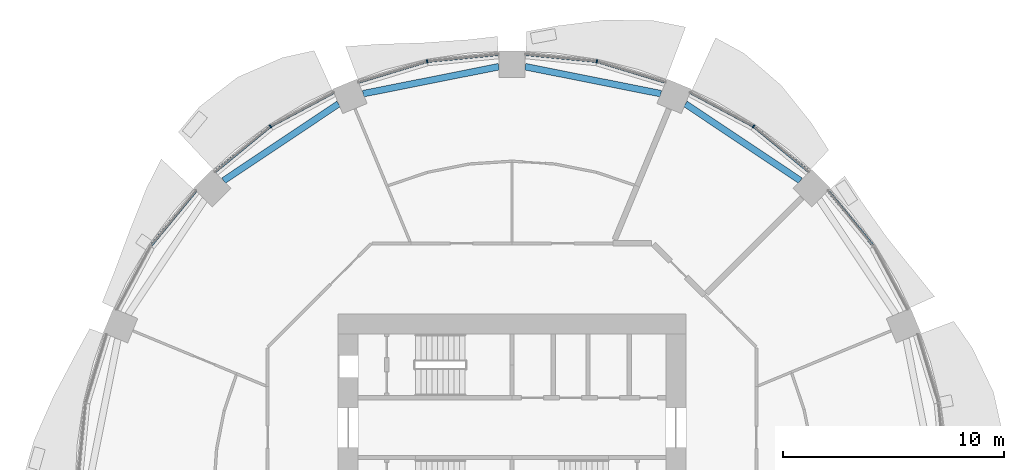
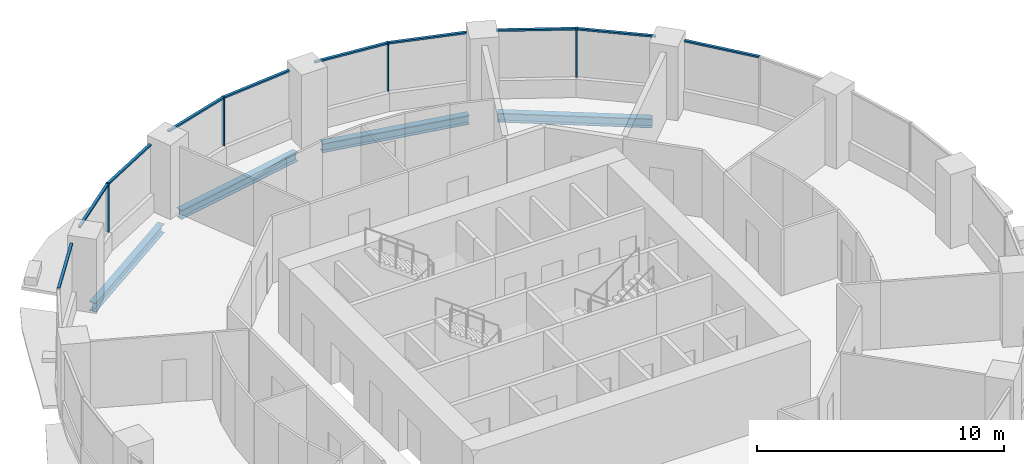
# One storey, part 6 of 15: 14 members, 4 beams, 6 elements without a shape of their own.
"""IFC4 building model written with IfcOpenShell, lengths in metres."""

from ifc_helpers import new_model, si_unit, direction, frame, origin, origin_2d, place, context, subcontext, project, spatial, rectangle, i_section, extrude, material, material_profile, profile_set, type_object, element, aggregate, save


model = new_model("IFC4")

# Units and contexts
model_context = context("Model", 3, precision=1e-05, world=origin(), true_north=direction((0.0, 1.0)))
body_context = subcontext(model_context, "Body", "Model", "MODEL_VIEW")
ifc_project = project(units=[si_unit("LENGTHUNIT", "METRE"), si_unit("AREAUNIT", "SQUARE_METRE"), si_unit("VOLUMEUNIT", "CUBIC_METRE"), si_unit("PLANEANGLEUNIT", "RADIAN"), si_unit("MASSUNIT", "GRAM", prefix="KILO")], contexts=[model_context])

# Site, building, storey
site_placement = place(None, origin())
site = spatial("IfcSite", under=ifc_project, at=site_placement, CompositionType="ELEMENT")
building_placement = place(site_placement, origin())
building = spatial("IfcBuilding", under=site, at=building_placement, Name="Polderwave Tower", CompositionType="ELEMENT")
storey_placement = place(building_placement, frame((0.0, 0.0, 29.85009765625)))
storey = spatial("IfcBuildingStorey", under=building, at=storey_placement, Name="L07", CompositionType="ELEMENT", Elevation=29.85009765625)

# Curtain wall, member
ifc_material_1 = material(Name="Aluminium 6063-T6 and glass", Category="aluminium")
curtain_wall_type = type_object("IfcCurtainWallType", Name="Growing floor ribbon glazing wall", PredefinedType="NOTDEFINED", material=ifc_material_1)
curtain_wall_1_placement = place(storey_placement, origin())
curtain_wall_1 = element("IfcCurtainWall", 1, at=curtain_wall_1_placement, inside=storey, type_object=curtain_wall_type, Name="CW2 L07 02", PredefinedType="NOTDEFINED")
ifc_material_2 = material(Name="Aluminium 6063-T6", Category="aluminium")
ifc_material_profile_1 = material_profile(ifc_material_2, rectangle(XDim=0.14990234375, YDim=0.06005859375, at=origin_2d()), Name="AL 60x150")
ifc_profile_set_1 = profile_set([ifc_material_profile_1], Name="Aluminium 6063-T6")
member_type_1 = type_object("IfcMemberType", Name="Growing floor ribbon glazing mullion 60x150", PredefinedType="MULLION", material=ifc_profile_set_1)
member_1_placement = place(storey_placement, frame((10.945068359375, 16.3798828125, 0.89990234375), z_axis=(0.0, 0.0, 1.0), x_axis=(-0.555619572441, -0.831436642637, 0.0)))
member_1 = element("IfcMember", 2, at=member_1_placement, type_object=member_type_1, Name="CW2 mullion 1", PredefinedType="MULLION", context=body_context, shape_type="SweptSolid", body=[
    extrude(rectangle(XDim=0.14990234375, YDim=0.06005859375, at=origin_2d()), origin(), (0.0, 0.0, 1.0), 2.39990234375),
])

curtain_wall_2_placement = place(storey_placement, origin())
curtain_wall_2 = element("IfcCurtainWall", 3, at=curtain_wall_2_placement, inside=storey, type_object=curtain_wall_type, Name="CW2 L07 03", PredefinedType="NOTDEFINED")
member_2_placement = place(storey_placement, frame((3.843017578125, 19.321044921875, 0.89990234375), z_axis=(0.0, 0.0, 1.0), x_axis=(-0.19515879327, -0.980771658139, 0.0)))
member_2 = element("IfcMember", 4, at=member_2_placement, type_object=member_type_1, Name="CW2 mullion 1", PredefinedType="MULLION", context=body_context, shape_type="SweptSolid", body=[
    extrude(rectangle(XDim=0.14990234375, YDim=0.06005859375, at=origin_2d()), origin(), (0.0, 0.0, 1.0), 2.39990234375),
])

curtain_wall_3_placement = place(storey_placement, origin())
curtain_wall_3 = element("IfcCurtainWall", 5, at=curtain_wall_3_placement, inside=storey, type_object=curtain_wall_type, Name="CW2 L07 04", PredefinedType="NOTDEFINED")
member_3_placement = place(storey_placement, frame((-3.843017578125, 19.321044921875, 0.89990234375), z_axis=(0.0, 0.0, 1.0), x_axis=(0.19515879327, -0.980771658139, 0.0)))
member_3 = element("IfcMember", 6, at=member_3_placement, type_object=member_type_1, Name="CW2 mullion 1", PredefinedType="MULLION", context=body_context, shape_type="SweptSolid", body=[
    extrude(rectangle(XDim=0.14990234375, YDim=0.06005859375, at=origin_2d()), origin(), (0.0, 0.0, 1.0), 2.39990234375),
])

curtain_wall_4_placement = place(storey_placement, origin())
curtain_wall_4 = element("IfcCurtainWall", 7, at=curtain_wall_4_placement, inside=storey, type_object=curtain_wall_type, Name="CW2 L07 05", PredefinedType="NOTDEFINED")
member_4_placement = place(storey_placement, frame((-10.945068359375, 16.3798828125, 0.89990234375), z_axis=(0.0, 0.0, 1.0), x_axis=(0.555619572441, -0.831436642637, 0.0)))
member_4 = element("IfcMember", 8, at=member_4_placement, type_object=member_type_1, Name="CW2 mullion 1", PredefinedType="MULLION", context=body_context, shape_type="SweptSolid", body=[
    extrude(rectangle(XDim=0.14990234375, YDim=0.06005859375, at=origin_2d()), origin(), (0.0, 0.0, 1.0), 2.39990234375),
])

curtain_wall_5_placement = place(storey_placement, origin())
curtain_wall_5 = element("IfcCurtainWall", 9, at=curtain_wall_5_placement, inside=storey, type_object=curtain_wall_type, Name="CW2 L07 01", PredefinedType="NOTDEFINED")
ifc_material_profile_2 = material_profile(ifc_material_2, rectangle(XDim=0.1201171875, YDim=0.080078125, at=origin_2d()), Name="AL 80x120")
ifc_profile_set_2 = profile_set([ifc_material_profile_2], Name="Aluminium 6063-T6")
member_type_2 = type_object("IfcMemberType", Name="Growing floor ribbon glazing transom 80x120", PredefinedType="USERDEFINED", material=ifc_profile_set_2)
member_5_placement = place(storey_placement, frame((16.361083984375, 10.96826171875, 3.260009765625), z_axis=(-0.634537869946, 0.772891772245, 0.0), x_axis=(-0.772891772245, -0.634537869946, 0.0)))
member_5 = element("IfcMember", 10, at=member_5_placement, type_object=member_type_2, Name="CW2 transom 2", ObjectType="TRANSOM", PredefinedType="USERDEFINED", context=body_context, shape_type="SweptSolid", body=[
    extrude(rectangle(XDim=0.1201171875, YDim=0.080078125, at=origin_2d()), origin(), (0.0, 0.0, 1.0), 3.229248046875),
])
aggregate(curtain_wall_5, [member_5])

# Member
member_6_placement = place(storey_placement, frame((13.464111328125, 14.31201171875, 3.260009765625), z_axis=(-0.772891772245, 0.634537869946, 0.0), x_axis=(-0.634537869946, -0.772891772245, 0.0)))
member_6 = element("IfcMember", 11, at=member_6_placement, type_object=member_type_2, Name="CW2 transom 1", ObjectType="TRANSOM", PredefinedType="USERDEFINED", context=body_context, shape_type="SweptSolid", body=[
    extrude(rectangle(XDim=0.1201171875, YDim=0.080078125, at=origin_2d()), origin(), (0.0, 0.0, 1.0), 3.229248046875),
])

member_7_placement = place(storey_placement, frame((10.91845703125, 16.39404296875, 3.260009765625), z_axis=(-0.88192137056, 0.471396538118, 0.0), x_axis=(-0.471396538118, -0.88192137056, 0.0)))
member_7 = element("IfcMember", 12, at=member_7_placement, type_object=member_type_2, Name="CW2 transom 2", ObjectType="TRANSOM", PredefinedType="USERDEFINED", context=body_context, shape_type="SweptSolid", body=[
    extrude(rectangle(XDim=0.1201171875, YDim=0.080078125, at=origin_2d()), origin(), (0.0, 0.0, 1.0), 3.228759765625),
])

aggregate(curtain_wall_1, [member_1, member_6, member_7])

member_8_placement = place(storey_placement, frame((6.9619140625, 18.375, 3.260009765625), z_axis=(-0.956956343636, 0.290231901029, 0.0), x_axis=(-0.290231901029, -0.956956343636, 0.0)))
member_8 = element("IfcMember", 13, at=member_8_placement, type_object=member_type_2, Name="CW2 transom 1", ObjectType="TRANSOM", PredefinedType="USERDEFINED", context=body_context, shape_type="SweptSolid", body=[
    extrude(rectangle(XDim=0.1201171875, YDim=0.080078125, at=origin_2d()), origin(), (0.0, 0.0, 1.0), 3.229248046875),
])

member_9_placement = place(storey_placement, frame((3.81298828125, 19.323974609375, 3.260009765625), z_axis=(-0.995163657896, 0.098230820031, 0.0), x_axis=(-0.098230820031, -0.995163657896, 0.0)))
member_9 = element("IfcMember", 14, at=member_9_placement, type_object=member_type_2, Name="CW2 transom 2", ObjectType="TRANSOM", PredefinedType="USERDEFINED", context=body_context, shape_type="SweptSolid", body=[
    extrude(rectangle(XDim=0.1201171875, YDim=0.080078125, at=origin_2d()), origin(), (0.0, 0.0, 1.0), 3.228515625),
])

aggregate(curtain_wall_2, [member_2, member_8, member_9])

member_10_placement = place(storey_placement, frame((-0.60009765625, 19.64111328125, 3.260009765625), z_axis=(-0.995163657896, -0.098230820031, 0.0), x_axis=(0.098230820031, -0.995163657896, 0.0)))
member_10 = element("IfcMember", 15, at=member_10_placement, type_object=member_type_2, Name="CW2 transom 1", ObjectType="TRANSOM", PredefinedType="USERDEFINED", context=body_context, shape_type="SweptSolid", body=[
    extrude(rectangle(XDim=0.1201171875, YDim=0.080078125, at=origin_2d()), origin(), (0.0, 0.0, 1.0), 3.228515625),
])

member_11_placement = place(storey_placement, frame((-3.87158203125, 19.312255859375, 3.260009765625), z_axis=(-0.956956343636, -0.290231901029, 0.0), x_axis=(0.290231901029, -0.956956343636, 0.0)))
member_11 = element("IfcMember", 16, at=member_11_placement, type_object=member_type_2, Name="CW2 transom 2", ObjectType="TRANSOM", PredefinedType="USERDEFINED", context=body_context, shape_type="SweptSolid", body=[
    extrude(rectangle(XDim=0.1201171875, YDim=0.080078125, at=origin_2d()), origin(), (0.0, 0.0, 1.0), 3.229248046875),
])

aggregate(curtain_wall_3, [member_3, member_10, member_11])

member_12_placement = place(storey_placement, frame((-8.071044921875, 17.916015625, 3.260009765625), z_axis=(-0.88192137056, -0.471396538118, 0.0), x_axis=(0.471396538118, -0.88192137056, 0.0)))
member_12 = element("IfcMember", 17, at=member_12_placement, type_object=member_type_2, Name="CW2 transom 1", ObjectType="TRANSOM", PredefinedType="USERDEFINED", context=body_context, shape_type="SweptSolid", body=[
    extrude(rectangle(XDim=0.1201171875, YDim=0.080078125, at=origin_2d()), origin(), (0.0, 0.0, 1.0), 3.228759765625),
])

member_13_placement = place(storey_placement, frame((-10.96826171875, 16.361083984375, 3.260009765625), z_axis=(-0.772891772245, -0.634537869946, 0.0), x_axis=(0.634537869946, -0.772891772245, 0.0)))
member_13 = element("IfcMember", 18, at=member_13_placement, type_object=member_type_2, Name="CW2 transom 2", ObjectType="TRANSOM", PredefinedType="USERDEFINED", context=body_context, shape_type="SweptSolid", body=[
    extrude(rectangle(XDim=0.1201171875, YDim=0.080078125, at=origin_2d()), origin(), (0.0, 0.0, 1.0), 3.229248046875),
])

aggregate(curtain_wall_4, [member_4, member_12, member_13])

# Curtain wall, member
curtain_wall_6_placement = place(storey_placement, origin())
curtain_wall_6 = element("IfcCurtainWall", 19, at=curtain_wall_6_placement, inside=storey, type_object=curtain_wall_type, Name="CW2 L07 06", PredefinedType="NOTDEFINED")
member_14_placement = place(storey_placement, frame((-14.31201171875, 13.464111328125, 3.260009765625), z_axis=(-0.634537869946, -0.772891772245, 0.0), x_axis=(0.772891772245, -0.634537869946, 0.0)))
member_14 = element("IfcMember", 20, at=member_14_placement, type_object=member_type_2, Name="CW2 transom 1", ObjectType="TRANSOM", PredefinedType="USERDEFINED", context=body_context, shape_type="SweptSolid", body=[
    extrude(rectangle(XDim=0.1201171875, YDim=0.080078125, at=origin_2d()), origin(), (0.0, 0.0, 1.0), 3.229248046875),
])
aggregate(curtain_wall_6, [member_14])

# Beams
ifc_material_3 = material(Name="Steel S355", Category="steel")
ifc_material_profile_3 = material_profile(ifc_material_3, i_section(OverallWidth=0.300048828125, OverallDepth=0.449951171875, WebThickness=0.013916015625, FlangeThickness=0.02587890625, at=origin_2d()), Name="HE 450 B")
ifc_profile_set_3 = profile_set([ifc_material_profile_3], Name="Steel S355")
beam_type = type_object("IfcBeamType", Name="RING BEAM HE 450 B", PredefinedType="BEAM", material=ifc_profile_set_3)
beam_1_placement = place(storey_placement, frame((13.06787109375, 13.916259765625, -0.5751953125), z_axis=(-0.831462584076, 0.555580751359, 0.0), x_axis=(-0.555580751359, -0.831462584076, 0.0)))
element("IfcBeam", 21, at=beam_1_placement, inside=storey, type_object=beam_type, Name="ST-RB-L07-02", PredefinedType="BEAM", context=body_context, shape_type="SweptSolid", body=[
    extrude(i_section(OverallWidth=0.300048828125, OverallDepth=0.449951171875, WebThickness=0.013916015625, FlangeThickness=0.02587890625, at=origin_2d()), origin(), (0.0, 0.0, 1.0), 6.26806640625),
])
for number, where, z_axis, x_axis, name in (
    (22, (6.74755859375, 17.85791015625, -0.5751953125), (-0.98078985187, 0.195067338291, 0.0), (-0.195067338291, -0.98078985187, 0.0), "ST-RB-L07-03"),
    (23, (-0.60009765625, 19.08056640625, -0.5751953125), (-0.98078985187, -0.195067338291, 0.0), (0.195067338291, -0.98078985187, 0.0), "ST-RB-L07-04"),
):
    element("IfcBeam", number, at=place(storey_placement, frame(where, z_axis=z_axis, x_axis=x_axis)), inside=storey, type_object=beam_type, Name=name, PredefinedType="BEAM", context=body_context, shape_type="SweptSolid", body=[
        extrude(i_section(OverallWidth=0.300048828125, OverallDepth=0.449951171875, WebThickness=0.013916015625, FlangeThickness=0.02587890625, at=origin_2d()), origin(), (0.0, 0.0, 1.0), 6.267822265625),
    ])
beam_2_placement = place(storey_placement, frame((-7.856201171875, 17.398681640625, -0.5751953125), z_axis=(-0.831462584076, -0.555580751359, 0.0), x_axis=(0.555580751359, -0.831462584076, 0.0)))
element("IfcBeam", 24, at=beam_2_placement, inside=storey, type_object=beam_type, Name="ST-RB-L07-05", PredefinedType="BEAM", context=body_context, shape_type="SweptSolid", body=[
    extrude(i_section(OverallWidth=0.300048828125, OverallDepth=0.449951171875, WebThickness=0.013916015625, FlangeThickness=0.02587890625, at=origin_2d()), origin(), (0.0, 0.0, 1.0), 6.26806640625),
])

save(model, "model.ifc")
